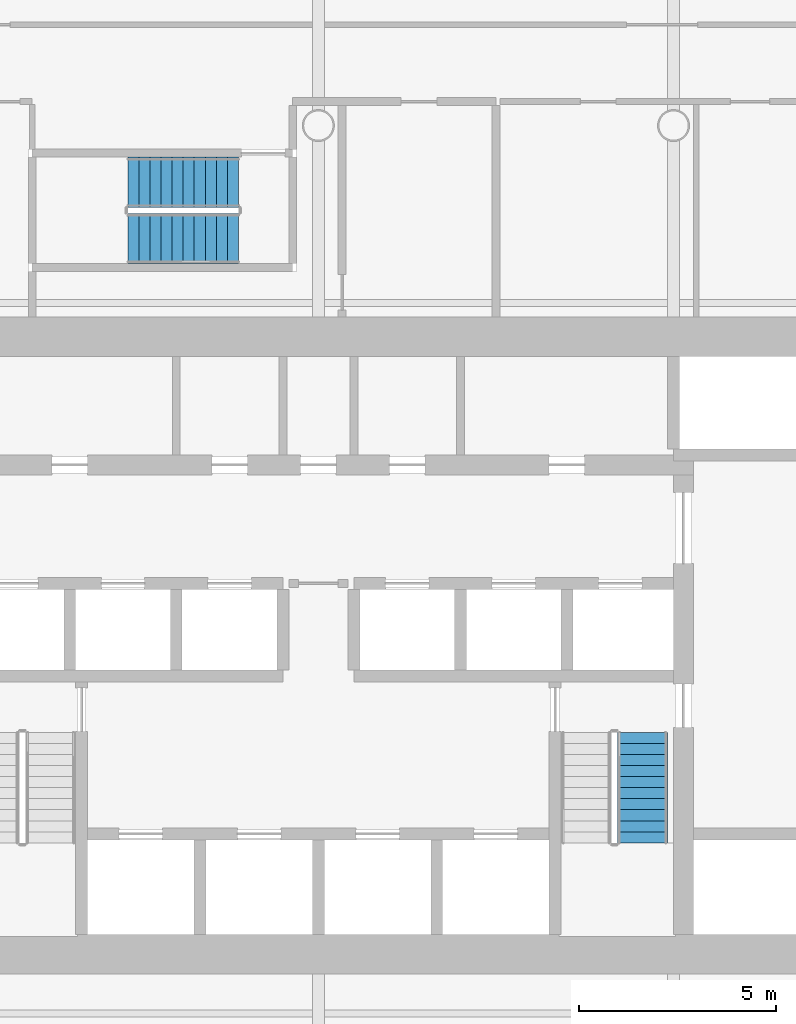
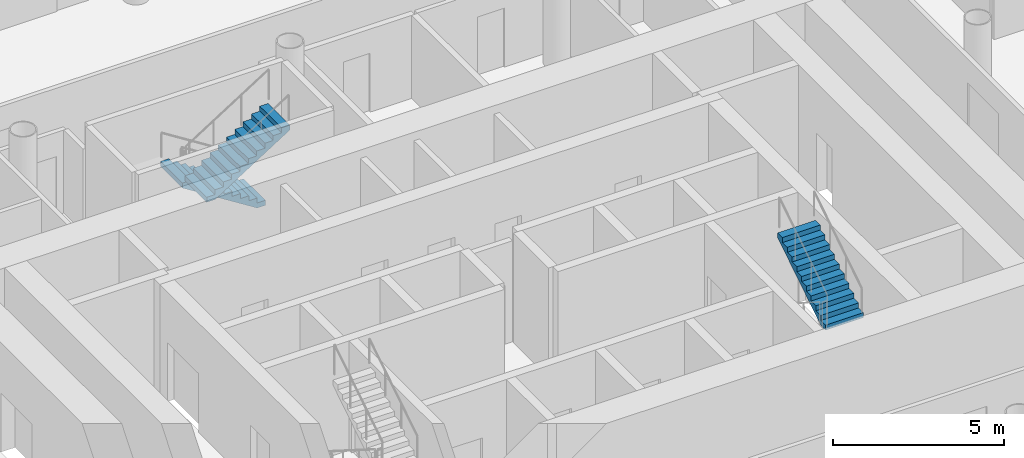
# One storey, part 17 of 22: 3 stair flights, 2 elements without a shape of their own.
"""IFC4 building model written with IfcOpenShell, lengths in metres."""

from ifc_helpers import new_model, si_unit, direction, frame, origin, place, context, subcontext, project, spatial, polyline, outline, extrude, material, type_object, element, aggregate, save


model = new_model("IFC4")

# Units and contexts
model_context = context("Model", 3, precision=1e-05, world=origin(), true_north=direction((0.0, 1.0)))
body_context = subcontext(model_context, "Body", "Model", "MODEL_VIEW")
ifc_project = project(units=[si_unit("LENGTHUNIT", "METRE"), si_unit("AREAUNIT", "SQUARE_METRE"), si_unit("VOLUMEUNIT", "CUBIC_METRE"), si_unit("PLANEANGLEUNIT", "RADIAN"), si_unit("MASSUNIT", "GRAM", prefix="KILO")], contexts=[model_context])

# Site, building, storey
site_placement = place(None, origin())
site = spatial("IfcSite", under=ifc_project, at=site_placement, CompositionType="ELEMENT")
building_placement = place(site_placement, origin())
building = spatial("IfcBuilding", under=site, at=building_placement, Name="Tskaro Facet Tower", CompositionType="ELEMENT")
storey_placement = place(building_placement, frame((0.0, 0.0, 85.5)))
storey = spatial("IfcBuildingStorey", under=building, at=storey_placement, Name="L20", CompositionType="ELEMENT", Elevation=85.5)

# Stair, stair flight
ifc_material = material(Name="Concrete C40/50", Category="concrete")
stair_type = type_object("IfcStairType", Name="ST-TWR", PredefinedType="HALF_TURN_STAIR", material=ifc_material)
stair_1_placement = place(storey_placement, origin())
stair_1 = element("IfcStair", 1, at=stair_1_placement, inside=storey, type_object=stair_type, Name="L20 Exit stair 2", PredefinedType="HALF_TURN_STAIR")
stair_flight_type = type_object("IfcStairFlightType", Name="SFL-RC", PredefinedType="STRAIGHT", material=ifc_material)
stair_flight_1_placement = place(storey_placement, frame((8.21240234375, -9.175048828125, 1.949951171875), z_axis=(0.0, 0.0, 1.0), x_axis=(0.0, 1.0, 0.0)))
stair_flight_1 = element("IfcStairFlight", 2, at=stair_flight_1_placement, type_object=stair_flight_type, Name="ST-2 flight 2", NumberOfRisers=11, NumberOfTreads=10, PredefinedType="STRAIGHT", RiserHeight=0.177272727, TreadLength=0.28, context=body_context, shape_type="SweptSolid", body=[
    extrude(outline(polyline([(0.0, 0.0), (0.0, 0.17724609375), (0.280029296875, 0.17724609375), (0.280029296875, 0.3544921875), (0.56005859375, 0.3544921875), (0.56005859375, 0.53173828125), (0.840087890625, 0.53173828125), (0.840087890625, 0.708984375), (1.1201171875, 0.708984375), (1.1201171875, 0.886474609375), (1.39990234375, 0.886474609375), (1.39990234375, 1.063720703125), (1.679931640625, 1.063720703125), (1.679931640625, 1.240966796875), (1.9599609375, 1.240966796875), (1.9599609375, 1.418212890625), (2.239990234375, 1.418212890625), (2.239990234375, 1.595458984375), (2.52001953125, 1.595458984375), (2.52001953125, 1.772705078125), (2.800048828125, 1.772705078125), (2.800048828125, 1.949951171875), (2.800048828125, 1.59521484375), (0.2802734375, 0.0), (0.0, 0.0)])), frame((0.0, 0.637451171875, 0.0), z_axis=(0.0, -1.0, 0.0), x_axis=(1.0, 0.0, 0.0)), (0.0, 0.0, 1.0), 1.27490234375),
])
aggregate(stair_1, [stair_flight_1])

# Stair, stair flights
stair_2_placement = place(storey_placement, origin())
stair_2 = element("IfcStair", 3, at=stair_2_placement, inside=storey, type_object=stair_type, Name="L20 Exit stair 3", PredefinedType="HALF_TURN_STAIR")
stair_flight_2_placement = place(storey_placement, frame((-2.02490234375, 7.5625, 0.0), z_axis=(0.0, 0.0, 1.0), x_axis=(-1.0, 0.0, 0.0)))
stair_flight_2 = element("IfcStairFlight", 4, at=stair_flight_2_placement, type_object=stair_flight_type, Name="ST-3 flight 1", NumberOfRisers=11, NumberOfTreads=10, PredefinedType="STRAIGHT", RiserHeight=0.177272727, TreadLength=0.28, context=body_context, shape_type="SweptSolid", body=[
    extrude(outline(polyline([(0.0, 0.0), (0.0, 0.17724609375), (0.280029296875, 0.17724609375), (0.280029296875, 0.3544921875), (0.56005859375, 0.3544921875), (0.56005859375, 0.53173828125), (0.840087890625, 0.53173828125), (0.840087890625, 0.708984375), (1.1201171875, 0.708984375), (1.1201171875, 0.886474609375), (1.39990234375, 0.886474609375), (1.39990234375, 1.063720703125), (1.679931640625, 1.063720703125), (1.679931640625, 1.240966796875), (1.9599609375, 1.240966796875), (1.9599609375, 1.418212890625), (2.239990234375, 1.418212890625), (2.239990234375, 1.595458984375), (2.52001953125, 1.595458984375), (2.52001953125, 1.772705078125), (2.800048828125, 1.772705078125), (2.800048828125, 1.949951171875), (2.800048828125, 1.59521484375), (0.2802734375, 0.0), (0.0, 0.0)])), frame((0.0, 0.637451171875, 0.0), z_axis=(0.0, -1.0, 0.0), x_axis=(1.0, 0.0, 0.0)), (0.0, 0.0, 1.0), 1.27490234375),
])
stair_flight_3_placement = place(storey_placement, frame((-4.824951171875, 6.137451171875, 1.949951171875), z_axis=(0.0, 0.0, 1.0), x_axis=(1.0, 0.0, 0.0)))
stair_flight_3 = element("IfcStairFlight", 5, at=stair_flight_3_placement, type_object=stair_flight_type, Name="ST-3 flight 2", NumberOfRisers=11, NumberOfTreads=10, PredefinedType="STRAIGHT", RiserHeight=0.177272727, TreadLength=0.28, context=body_context, shape_type="SweptSolid", body=[
    extrude(outline(polyline([(0.0, 0.0), (0.0, 0.17724609375), (0.280029296875, 0.17724609375), (0.280029296875, 0.3544921875), (0.56005859375, 0.3544921875), (0.56005859375, 0.53173828125), (0.840087890625, 0.53173828125), (0.840087890625, 0.708984375), (1.1201171875, 0.708984375), (1.1201171875, 0.886474609375), (1.39990234375, 0.886474609375), (1.39990234375, 1.063720703125), (1.679931640625, 1.063720703125), (1.679931640625, 1.240966796875), (1.9599609375, 1.240966796875), (1.9599609375, 1.418212890625), (2.239990234375, 1.418212890625), (2.239990234375, 1.595458984375), (2.52001953125, 1.595458984375), (2.52001953125, 1.772705078125), (2.800048828125, 1.772705078125), (2.800048828125, 1.949951171875), (2.800048828125, 1.59521484375), (0.2802734375, 0.0), (0.0, 0.0)])), frame((0.0, 0.637451171875, 0.0), z_axis=(0.0, -1.0, 0.0), x_axis=(1.0, 0.0, 0.0)), (0.0, 0.0, 1.0), 1.27490234375),
])
aggregate(stair_2, [stair_flight_2, stair_flight_3])

save(model, "model.ifc")
